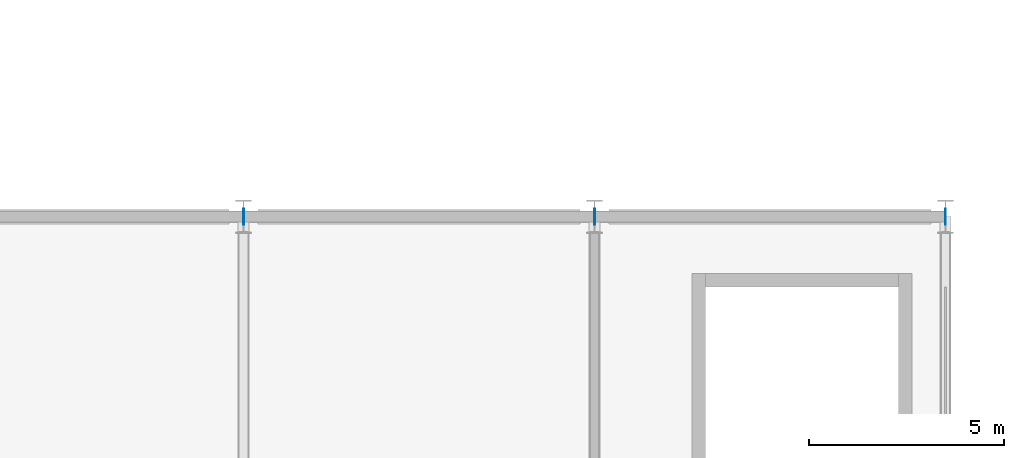
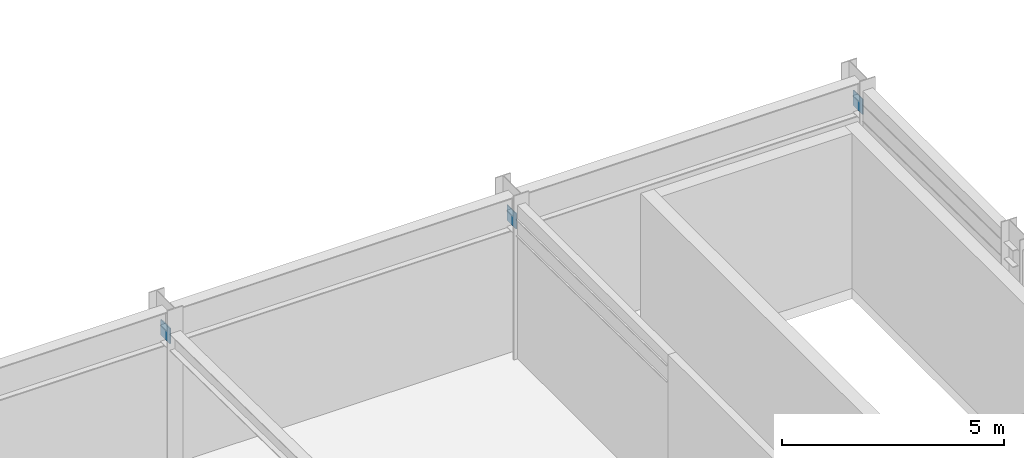
# One storey, part 104 of 151: 3 plates.
"""IFC4 building model written with IfcOpenShell, lengths in metres."""

from ifc_helpers import new_model, si_unit, direction, frame, origin, origin_2d, place, context, subcontext, project, spatial, rectangle, extrude, material, layer, layer_set, type_object, element, save


model = new_model("IFC4")

# Units and contexts
model_context = context("Model", 3, precision=1e-05, world=origin(), true_north=direction((0.0, 1.0)))
body_context = subcontext(model_context, "Body", "Model", "MODEL_VIEW")
ifc_project = project(units=[si_unit("LENGTHUNIT", "METRE"), si_unit("AREAUNIT", "SQUARE_METRE"), si_unit("VOLUMEUNIT", "CUBIC_METRE"), si_unit("PLANEANGLEUNIT", "RADIAN"), si_unit("MASSUNIT", "GRAM", prefix="KILO")], contexts=[model_context])

# Site, building, storey
site_placement = place(None, origin())
site = spatial("IfcSite", under=ifc_project, at=site_placement, CompositionType="ELEMENT")
building_placement = place(site_placement, origin())
building = spatial("IfcBuilding", under=site, at=building_placement, Name="Celestram Park Convention Centre", CompositionType="ELEMENT")
storey_placement = place(building_placement, frame((0.0, 0.0, 10.800048828125)))
storey = spatial("IfcBuildingStorey", under=building, at=storey_placement, Name="L02", CompositionType="ELEMENT", Elevation=10.800048828125)

# Plates
ifc_material = material(Name="Steel ASTM A572 Grade 50", Category="steel")
ifc_layer = layer(ifc_material, 0.02490234375)
ifc_layer_set = layer_set([ifc_layer], Name="Steel ASTM A572 Grade 50")
plate_type = type_object("IfcPlateType", Name="STR-PLT-GP25", PredefinedType="USERDEFINED", material=ifc_layer_set)
for number, where, z_axis, x_axis, name in (
    (1, (198.0, 36.0, 3.39794921875), (0.0, 0.0, 1.0), (0.0, 1.0, 0.0), "V3 truss node gusset plate"),
    (2, (207.0, 36.0, 3.39794921875), (0.0, 0.0, 1.0), (0.0, 1.0, 0.0), "V3 truss node gusset plate"),
    (3, (216.0, 36.0, 3.39794921875), (0.0, 0.0, 1.0), (0.0, 1.0, 0.0), "V3 truss node gusset plate"),
):
    element("IfcPlate", number, at=place(storey_placement, frame(where, z_axis=z_axis, x_axis=x_axis)), inside=storey, type_object=plate_type, Name=name, ObjectType="GUSSET_PLATE", PredefinedType="USERDEFINED", context=body_context, shape_type="SweptSolid", body=[
        extrude(rectangle(XDim=0.419921875, YDim=0.02490234375, at=origin_2d()), origin(), (0.0, 0.0, 1.0), 0.419921875),
    ])

save(model, "model.ifc")
